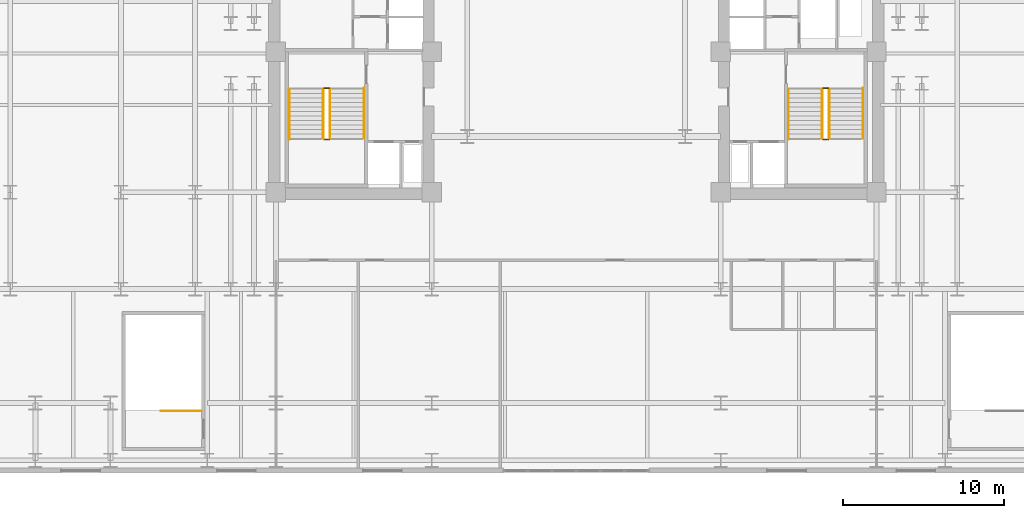
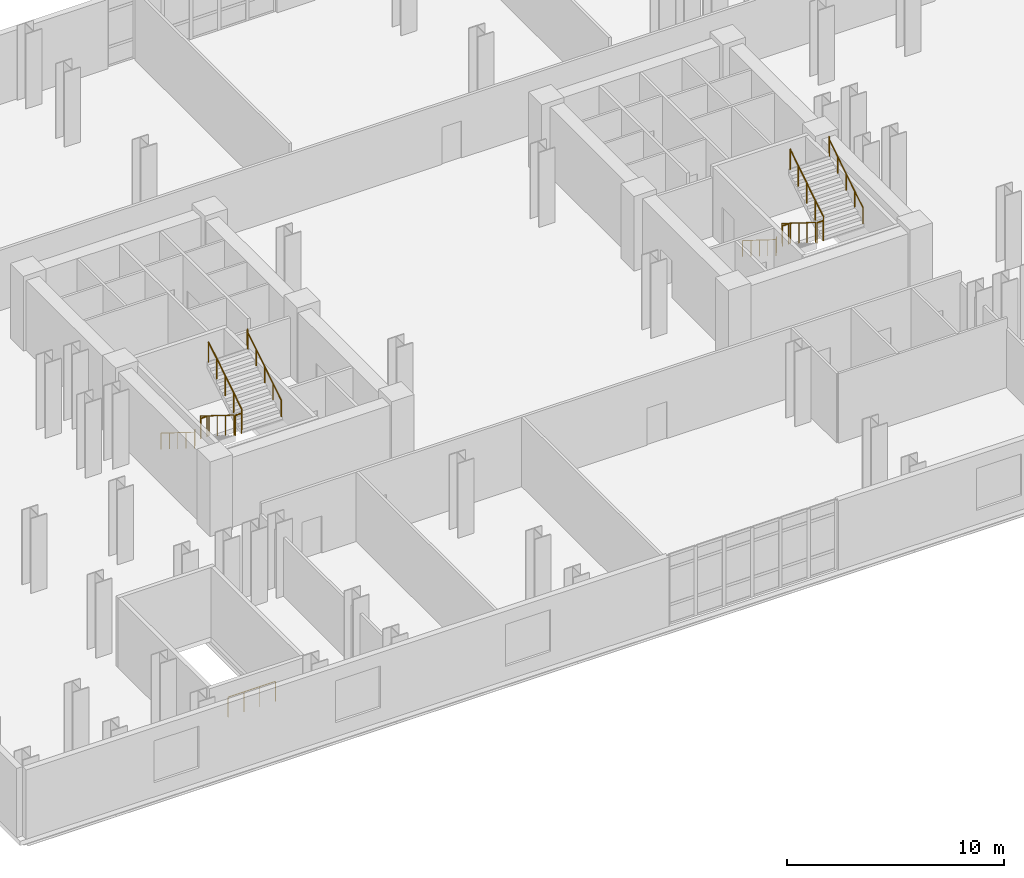
# One storey, part 12 of 13: 13 railings.
"""IFC4 building model written with IfcOpenShell, lengths in metres."""

import ifcopenshell
import ifcopenshell.guid

model = None  # the IFC model being written
_history = None  # IfcOwnerHistory: only IFC2X3 demands one
_inside = {}  # id of a spatial element -> (the spatial element, [elements in it])
_under = {}  # id of a project, library or spatial element -> (it, [spatial elements below it])
_declared = {}  # id of a project -> (the project, [libraries it declares])
_typed = {}  # id of a type object -> (the type object, [elements of that type])
_made_of = {}  # id of a material, layer set ... -> (it, [elements and type objects made of it])


def new_model(schema):
    """Start an empty IFC model of exactly this schema.

    Asked for "IFC4X3", IfcOpenShell would pick the latest addendum, in which some entities
    have other attributes; the version numbers below select the first issue.
    IFC2X3 requires an IfcOwnerHistory on every rooted entity: one is made here for all.
    """
    global model, _history
    if schema == "IFC4X3":
        model = ifcopenshell.file(schema_version=(4, 3, 0, 0))
    else:
        model = ifcopenshell.file(schema=schema)
    _inside.clear()
    _under.clear()
    _declared.clear()
    _typed.clear()
    _made_of.clear()
    _history = None
    if model.schema == "IFC2X3":
        org = make("IfcOrganization", Name="unknown")
        user = make(
            "IfcPersonAndOrganization",
            ThePerson=make("IfcPerson", FamilyName="unknown"),
            TheOrganization=org,
        )
        app = make(
            "IfcApplication",
            ApplicationDeveloper=org,
            Version="unknown",
            ApplicationFullName="unknown",
            ApplicationIdentifier="unknown",
        )
        _history = make(
            "IfcOwnerHistory",
            OwningUser=user,
            OwningApplication=app,
            ChangeAction="ADDED",
            CreationDate=0,
        )
    return model


def make(cls, **values):
    """One entity of the class cls with the attributes given. An attribute that is None is left unset."""
    return model.create_entity(
        cls, **{name: value for name, value in values.items() if value is not None}
    )


def rooted(cls, **values):
    """An entity with a GlobalId (a new one), such as an element, a storey or a relation."""
    return make(cls, GlobalId=ifcopenshell.guid.new(), OwnerHistory=_history, **values)


def si_unit(unit_type, name, prefix=None):
    """IfcSIUnit, for example si_unit("LENGTHUNIT", "METRE", prefix="MILLI")."""
    return make("IfcSIUnit", UnitType=unit_type, Prefix=prefix, Name=name)


def assignment(units):
    """IfcUnitAssignment: the units of a project."""
    return None if units is None else make("IfcUnitAssignment", Units=units)


def point(xyz):
    """IfcCartesianPoint."""
    return None if xyz is None else make("IfcCartesianPoint", Coordinates=xyz)


def direction(xyz):
    """IfcDirection."""
    return None if xyz is None else make("IfcDirection", DirectionRatios=xyz)


def frame(location, z_axis=None, x_axis=None):
    """IfcAxis2Placement3D, a coordinate frame: its origin and axes. An axis left out is left unset."""
    return make(
        "IfcAxis2Placement3D",
        Location=point(location),
        Axis=direction(z_axis),
        RefDirection=direction(x_axis),
    )


def frame_2d(location, x_axis=None):
    """IfcAxis2Placement2D, a coordinate frame in the plane: its origin and x axis."""
    return make(
        "IfcAxis2Placement2D", Location=point(location), RefDirection=direction(x_axis)
    )


def origin():
    """The frame at (0, 0, 0) with its axes left unset."""
    return frame((0.0, 0.0, 0.0))


def origin_2d():
    """The frame at (0, 0) in the plane with its x axis left unset."""
    return frame_2d((0.0, 0.0))


def place(relative_to, where):
    """IfcLocalPlacement: puts the frame where relative to a parent placement (None: the world)."""
    return make(
        "IfcLocalPlacement", PlacementRelTo=relative_to, RelativePlacement=where
    )


def context(
    kind, dimensions, precision=None, world=None, true_north=None, identifier=None
):
    """IfcGeometricRepresentationContext, for example the 3D "Model" context."""
    return make(
        "IfcGeometricRepresentationContext",
        ContextIdentifier=identifier,
        ContextType=kind,
        CoordinateSpaceDimension=dimensions,
        Precision=precision,
        WorldCoordinateSystem=world,
        TrueNorth=true_north,
    )


def subcontext(parent, identifier, kind, view, scale=None):
    """IfcGeometricRepresentationSubContext, for example "Body" below "Model"."""
    return make(
        "IfcGeometricRepresentationSubContext",
        ContextIdentifier=identifier,
        ContextType=kind,
        ParentContext=parent,
        TargetScale=scale,
        TargetView=view,
    )


def project(units=None, contexts=None):
    """IfcProject with its units and contexts."""
    return rooted(
        "IfcProject",
        Name="project",
        RepresentationContexts=contexts,
        UnitsInContext=assignment(units),
    )


def spatial(cls, under=None, at=None, **own):
    """A site, building, storey or space (cls), placed at a placement, below another one or the project."""
    s = rooted(cls, ObjectPlacement=at, **own)
    if under is not None:
        _under.setdefault(under.id(), (under, []))[1].append(s)
    return s


def profile(cls, at=None, kind="AREA", **sizes):
    """A parametric profile (cls). Its sizes go by their IFC names, for example OverallWidth=200.0."""
    return make(cls, ProfileType=kind, Position=at, **sizes)


def circle(**sizes):
    """IfcCircleProfileDef."""
    return profile("IfcCircleProfileDef", **sizes)


def extrude(swept, where, along, depth):
    """IfcExtrudedAreaSolid: the profile swept, set in the frame where, extruded along a direction by depth."""
    return make(
        "IfcExtrudedAreaSolid",
        SweptArea=swept,
        Position=where,
        ExtrudedDirection=direction(along),
        Depth=depth,
    )


def shape(context_of_items, identifier, shape_type, items):
    """IfcShapeRepresentation: the items that make up one representation, for example the "Body"."""
    return make(
        "IfcShapeRepresentation",
        ContextOfItems=context_of_items,
        RepresentationIdentifier=identifier,
        RepresentationType=shape_type,
        Items=items,
    )


def material(Name=None, Category=None):
    """IfcMaterial."""
    return make("IfcMaterial", Name=Name, Category=Category)


def made_of(thing, what):
    """Note that an element or type object is made of a material, layer set ...; save() writes the relation."""
    if what is not None:
        _made_of.setdefault(what.id(), (what, []))[1].append(thing)
    return thing


def type_object(cls, material=None, **own):
    """A type object (cls), such as IfcWallType, which elements share."""
    return made_of(rooted(cls, **own), material)


def element(
    cls,
    number,
    at=None,
    inside=None,
    cuts=None,
    type_object=None,
    material=None,
    context=None,
    identifier="Body",
    shape_type=None,
    held_by="IfcProductDefinitionShape",
    body=None,
    shapes=None,
    **own,
):
    """One element of the class cls, such as IfcWall. Its Tag is "e" and its number.

    at: its placement. inside: the storey or other place that contains it. cuts: it is an
    opening in that element (IfcRelVoidsElement). A single representation is given by context,
    identifier, shape_type and body (its items); several are given by shapes. held_by: the class
    of the entity that holds the representations. save() writes the other relations.
    """
    e = rooted(cls, Tag="e%d" % number, ObjectPlacement=at, **own)
    if body is not None:
        shapes = [shape(context, identifier, shape_type, body)]
    if shapes is not None:
        e.Representation = make(held_by, Representations=shapes)
    if inside is not None:
        _inside.setdefault(inside.id(), (inside, []))[1].append(e)
    if cuts is not None:
        rooted(
            "IfcRelVoidsElement", RelatingBuildingElement=cuts, RelatedOpeningElement=e
        )
    if type_object is not None:
        _typed.setdefault(type_object.id(), (type_object, []))[1].append(e)
    return made_of(e, material)


def aggregate(whole, parts):
    """IfcRelAggregates: a whole, such as a stair, and the parts it consists of."""
    return rooted("IfcRelAggregates", RelatingObject=whole, RelatedObjects=parts)


def save(model, path):
    """Write the relations noted so far, then the file.

    IfcRelAggregates (storeys below a building ...), IfcRelContainedInSpatialStructure (elements
    in a storey), IfcRelDefinesByType, IfcRelAssociatesMaterial and IfcRelDeclares: one each for
    every whole, place, type object, material and project.
    """
    for whole, parts in _under.values():
        aggregate(whole, parts)
    for where, things in _inside.values():
        rooted(
            "IfcRelContainedInSpatialStructure",
            RelatedElements=things,
            RelatingStructure=where,
        )
    for kind, things in _typed.values():
        rooted("IfcRelDefinesByType", RelatedObjects=things, RelatingType=kind)
    for what, things in _made_of.values():
        rooted("IfcRelAssociatesMaterial", RelatedObjects=things, RelatingMaterial=what)
    for by, libraries in _declared.values():
        rooted("IfcRelDeclares", RelatingContext=by, RelatedDefinitions=libraries)
    model.write(path)


model = new_model("IFC4")

# Units and contexts
model_context = context("Model", 3, precision=1e-05, world=origin(), true_north=direction((0.0, 1.0)))
body_context = subcontext(model_context, "Body", "Model", "MODEL_VIEW")
ifc_project = project(units=[si_unit("LENGTHUNIT", "METRE"), si_unit("AREAUNIT", "SQUARE_METRE"), si_unit("VOLUMEUNIT", "CUBIC_METRE"), si_unit("PLANEANGLEUNIT", "RADIAN"), si_unit("MASSUNIT", "GRAM", prefix="KILO")], contexts=[model_context])

# Site, building, storey
site_placement = place(None, origin())
site = spatial("IfcSite", under=ifc_project, at=site_placement, CompositionType="ELEMENT")
building_placement = place(site_placement, origin())
building = spatial("IfcBuilding", under=site, at=building_placement, Name="Velakula Bourse", CompositionType="ELEMENT")
storey_placement = place(building_placement, frame((0.0, 0.0, 22.800048828125)))
storey = spatial("IfcBuildingStorey", under=building, at=storey_placement, Name="L05", CompositionType="ELEMENT", Elevation=22.800048828125)

# Railings
ifc_material = material(Name="Brushed grade 316 stainless steel", Category="steel")
railing_type_1 = type_object("IfcRailingType", Name="RLG-STAIR-GUARD-1150", PredefinedType="BALUSTRADE", material=ifc_material)
railing_1_placement = place(storey_placement, frame((-15.672119140625, -2.199951171875, 0.175048828125)))
element("IfcRailing", 1, at=railing_1_placement, inside=storey, type_object=railing_type_1, Name="L05 ST-W1 stair guard 1", PredefinedType="BALUSTRADE", context=body_context, shape_type="SweptSolid", body=[
    extrude(circle(Radius=0.02490234375, at=origin_2d()), frame((0.0, 0.0, 1.125), z_axis=(0.0, -0.848028513186, 0.529950602248), x_axis=(1.0, 0.0, 0.0)), (0.0, 0.0, 1.0), 3.632080078125),
    extrude(circle(Radius=0.02099609375, at=origin_2d()), origin(), (0.0, 0.0, 1.0), 1.099853515625),
    extrude(circle(Radius=0.02099609375, at=origin_2d()), frame((0.0, -0.77001953125, 0.481201171875)), (0.0, 0.0, 1.0), 1.099853515625),
    extrude(circle(Radius=0.02099609375, at=origin_2d()), frame((0.0, -1.5400390625, 0.96240234375)), (0.0, 0.0, 1.0), 1.099853515625),
    extrude(circle(Radius=0.02099609375, at=origin_2d()), frame((0.0, -2.31005859375, 1.443603515625)), (0.0, 0.0, 1.0), 1.099853515625),
    extrude(circle(Radius=0.02099609375, at=origin_2d()), frame((0.0, -3.080078125, 1.9248046875)), (0.0, 0.0, 1.0), 1.099853515625),
])
railing_2_placement = place(storey_placement, frame((-15.6220703125, -5.330078125, 2.099853515625)))
element("IfcRailing", 2, at=railing_2_placement, inside=storey, type_object=railing_type_1, Name="L05 ST-W1 stair guard 2", PredefinedType="BALUSTRADE", context=body_context, shape_type="SweptSolid", body=[
    extrude(circle(Radius=0.02490234375, at=origin_2d()), frame((0.0, 0.0, 1.125), z_axis=(1.0, 0.0, 0.0), x_axis=(0.0, 1.0, 0.0)), (0.0, 0.0, 1.0), 0.323974609375),
    extrude(circle(Radius=0.02099609375, at=origin_2d()), origin(), (0.0, 0.0, 1.0), 1.099853515625),
    extrude(circle(Radius=0.02099609375, at=origin_2d()), frame((0.323974609375, 0.0, 0.0)), (0.0, 0.0, 1.0), 1.099853515625),
])
railing_3_placement = place(storey_placement, frame((-15.248046875, -5.280029296875, 2.27490234375)))
element("IfcRailing", 3, at=railing_3_placement, inside=storey, type_object=railing_type_1, Name="L05 ST-W1 stair guard 3", PredefinedType="BALUSTRADE", context=body_context, shape_type="SweptSolid", body=[
    extrude(circle(Radius=0.02490234375, at=origin_2d()), frame((0.0, 0.0, 1.125), z_axis=(0.0, 0.847998304005, 0.529998940003), x_axis=(-1.0, 0.0, 0.0)), (0.0, 0.0, 1.0), 3.632080078125),
    extrude(circle(Radius=0.02099609375, at=origin_2d()), origin(), (0.0, 0.0, 1.0), 1.099853515625),
    extrude(circle(Radius=0.02099609375, at=origin_2d()), frame((0.0, 0.77001953125, 0.481201171875)), (0.0, 0.0, 1.0), 1.099853515625),
    extrude(circle(Radius=0.02099609375, at=origin_2d()), frame((0.0, 1.5400390625, 0.96240234375)), (0.0, 0.0, 1.0), 1.099853515625),
    extrude(circle(Radius=0.02099609375, at=origin_2d()), frame((0.0, 2.31005859375, 1.44384765625)), (0.0, 0.0, 1.0), 1.099853515625),
    extrude(circle(Radius=0.02099609375, at=origin_2d()), frame((0.0, 3.080078125, 1.925048828125)), (0.0, 0.0, 1.0), 1.099853515625),
])
railing_4_placement = place(storey_placement, frame((-15.6220703125, -2.14990234375, 0.0)))
element("IfcRailing", 4, at=railing_4_placement, inside=storey, type_object=railing_type_1, Name="L05 ST-W1 stair guard 4", PredefinedType="BALUSTRADE", context=body_context, shape_type="SweptSolid", body=[
    extrude(circle(Radius=0.02490234375, at=origin_2d()), frame((0.0, 0.0, 1.125), z_axis=(1.0, 0.0, 0.0), x_axis=(0.0, 1.0, 0.0)), (0.0, 0.0, 1.0), 0.323974609375),
    extrude(circle(Radius=0.02099609375, at=origin_2d()), origin(), (0.0, 0.0, 1.0), 1.099853515625),
    extrude(circle(Radius=0.02099609375, at=origin_2d()), frame((0.323974609375, 0.0, 0.0)), (0.0, 0.0, 1.0), 1.099853515625),
])
railing_5_placement = place(storey_placement, frame((15.248046875, -2.199951171875, 0.175048828125)))
element("IfcRailing", 5, at=railing_5_placement, inside=storey, type_object=railing_type_1, Name="L05 ST-E1 stair guard 1", PredefinedType="BALUSTRADE", context=body_context, shape_type="SweptSolid", body=[
    extrude(circle(Radius=0.02490234375, at=origin_2d()), frame((0.0, 0.0, 1.125), z_axis=(0.0, -0.848028513186, 0.529950602248), x_axis=(1.0, 0.0, 0.0)), (0.0, 0.0, 1.0), 3.632080078125),
    extrude(circle(Radius=0.02099609375, at=origin_2d()), origin(), (0.0, 0.0, 1.0), 1.099853515625),
    extrude(circle(Radius=0.02099609375, at=origin_2d()), frame((0.0, -0.77001953125, 0.481201171875)), (0.0, 0.0, 1.0), 1.099853515625),
    extrude(circle(Radius=0.02099609375, at=origin_2d()), frame((0.0, -1.5400390625, 0.96240234375)), (0.0, 0.0, 1.0), 1.099853515625),
    extrude(circle(Radius=0.02099609375, at=origin_2d()), frame((0.0, -2.31005859375, 1.443603515625)), (0.0, 0.0, 1.0), 1.099853515625),
    extrude(circle(Radius=0.02099609375, at=origin_2d()), frame((0.0, -3.080078125, 1.9248046875)), (0.0, 0.0, 1.0), 1.099853515625),
])
railing_6_placement = place(storey_placement, frame((15.298095703125, -5.330078125, 2.099853515625)))
element("IfcRailing", 6, at=railing_6_placement, inside=storey, type_object=railing_type_1, Name="L05 ST-E1 stair guard 2", PredefinedType="BALUSTRADE", context=body_context, shape_type="SweptSolid", body=[
    extrude(circle(Radius=0.02490234375, at=origin_2d()), frame((0.0, 0.0, 1.125), z_axis=(1.0, 0.0, 0.0), x_axis=(0.0, 1.0, 0.0)), (0.0, 0.0, 1.0), 0.323974609375),
    extrude(circle(Radius=0.02099609375, at=origin_2d()), origin(), (0.0, 0.0, 1.0), 1.099853515625),
    extrude(circle(Radius=0.02099609375, at=origin_2d()), frame((0.323974609375, 0.0, 0.0)), (0.0, 0.0, 1.0), 1.099853515625),
])
railing_7_placement = place(storey_placement, frame((15.672119140625, -5.280029296875, 2.27490234375)))
element("IfcRailing", 7, at=railing_7_placement, inside=storey, type_object=railing_type_1, Name="L05 ST-E1 stair guard 3", PredefinedType="BALUSTRADE", context=body_context, shape_type="SweptSolid", body=[
    extrude(circle(Radius=0.02490234375, at=origin_2d()), frame((0.0, 0.0, 1.125), z_axis=(0.0, 0.847998304005, 0.529998940003), x_axis=(-1.0, 0.0, 0.0)), (0.0, 0.0, 1.0), 3.632080078125),
    extrude(circle(Radius=0.02099609375, at=origin_2d()), origin(), (0.0, 0.0, 1.0), 1.099853515625),
    extrude(circle(Radius=0.02099609375, at=origin_2d()), frame((0.0, 0.77001953125, 0.481201171875)), (0.0, 0.0, 1.0), 1.099853515625),
    extrude(circle(Radius=0.02099609375, at=origin_2d()), frame((0.0, 1.5400390625, 0.96240234375)), (0.0, 0.0, 1.0), 1.099853515625),
    extrude(circle(Radius=0.02099609375, at=origin_2d()), frame((0.0, 2.31005859375, 1.44384765625)), (0.0, 0.0, 1.0), 1.099853515625),
    extrude(circle(Radius=0.02099609375, at=origin_2d()), frame((0.0, 3.080078125, 1.925048828125)), (0.0, 0.0, 1.0), 1.099853515625),
])
railing_8_placement = place(storey_placement, frame((15.298095703125, -2.14990234375, 0.0)))
element("IfcRailing", 8, at=railing_8_placement, inside=storey, type_object=railing_type_1, Name="L05 ST-E1 stair guard 4", PredefinedType="BALUSTRADE", context=body_context, shape_type="SweptSolid", body=[
    extrude(circle(Radius=0.02490234375, at=origin_2d()), frame((0.0, 0.0, 1.125), z_axis=(1.0, 0.0, 0.0), x_axis=(0.0, 1.0, 0.0)), (0.0, 0.0, 1.0), 0.323974609375),
    extrude(circle(Radius=0.02099609375, at=origin_2d()), origin(), (0.0, 0.0, 1.0), 1.099853515625),
    extrude(circle(Radius=0.02099609375, at=origin_2d()), frame((0.323974609375, 0.0, 0.0)), (0.0, 0.0, 1.0), 1.099853515625),
])
railing_9_placement = place(storey_placement, frame((-23.199951171875, -22.14990234375, 0.0)))
element("IfcRailing", 9, at=railing_9_placement, inside=storey, type_object=railing_type_1, Name="L05 ST-P1 top well guard 1", PredefinedType="BALUSTRADE", context=body_context, shape_type="SweptSolid", body=[
    extrude(circle(Radius=0.02490234375, at=origin_2d()), frame((0.0, 0.0, 1.125), z_axis=(-1.0, 0.0, 0.0), x_axis=(0.0, -1.0, 0.0)), (0.0, 0.0, 1.0), 2.52197265625),
    extrude(circle(Radius=0.02099609375, at=origin_2d()), origin(), (0.0, 0.0, 1.0), 1.099853515625),
    extrude(circle(Radius=0.02099609375, at=origin_2d()), frame((-0.840576171875, 0.0, 0.0)), (0.0, 0.0, 1.0), 1.099853515625),
    extrude(circle(Radius=0.02099609375, at=origin_2d()), frame((-1.681396484375, 0.0, 0.0)), (0.0, 0.0, 1.0), 1.099853515625),
    extrude(circle(Radius=0.02099609375, at=origin_2d()), frame((-2.52197265625, 0.0, 0.0)), (0.0, 0.0, 1.0), 1.099853515625),
])
railing_type_2 = type_object("IfcRailingType", Name="RLG-STAIR-HAND-920", PredefinedType="HANDRAIL", material=ifc_material)
railing_10_placement = place(storey_placement, frame((-17.77001953125, -2.199951171875, 0.175048828125)))
element("IfcRailing", 10, at=railing_10_placement, inside=storey, type_object=railing_type_2, Name="L05 ST-W1 stair handrail 1", PredefinedType="HANDRAIL", context=body_context, shape_type="SweptSolid", body=[
    extrude(circle(Radius=0.02099609375, at=origin_2d()), frame((0.0, 0.0, 0.89892578125), z_axis=(0.0, -0.848028513186, 0.529950602248), x_axis=(1.0, 0.0, 0.0)), (0.0, 0.0, 1.0), 3.632080078125),
    extrude(circle(Radius=0.02099609375, at=origin_2d()), frame((0.0, -3.080078125, 2.82373046875), z_axis=(0.0, -0.222972465624, 0.974824743004), x_axis=(1.0, 0.0, 0.0)), (0.0, 0.0, 1.0), 0.1796875),
    extrude(circle(Radius=0.02099609375, at=origin_2d()), frame((0.0, -3.1201171875, 2.998779296875), z_axis=(0.0, -1.0, 0.0), x_axis=(1.0, 0.0, 0.0)), (0.0, 0.0, 1.0), 0.0048828125),
    extrude(circle(Radius=0.02099609375, at=origin_2d()), origin(), (0.0, 0.0, 1.0), 0.8779296875),
    extrude(circle(Radius=0.02099609375, at=origin_2d()), frame((0.0, -0.77001953125, 0.481201171875)), (0.0, 0.0, 1.0), 0.8779296875),
    extrude(circle(Radius=0.02099609375, at=origin_2d()), frame((0.0, -1.5400390625, 0.96240234375)), (0.0, 0.0, 1.0), 0.8779296875),
    extrude(circle(Radius=0.02099609375, at=origin_2d()), frame((0.0, -2.31005859375, 1.443603515625)), (0.0, 0.0, 1.0), 0.8779296875),
    extrude(circle(Radius=0.02099609375, at=origin_2d()), frame((0.0, -3.080078125, 1.9248046875)), (0.0, 0.0, 1.0), 0.8779296875),
    extrude(circle(Radius=0.02099609375, at=origin_2d()), frame((0.0, -3.1201171875, 2.099853515625)), (0.0, 0.0, 1.0), 0.8779296875),
    extrude(circle(Radius=0.02099609375, at=origin_2d()), frame((0.0, -3.125, 2.099853515625)), (0.0, 0.0, 1.0), 0.8779296875),
])
railing_11_placement = place(storey_placement, frame((-13.14990234375, -5.280029296875, 2.27490234375)))
element("IfcRailing", 11, at=railing_11_placement, inside=storey, type_object=railing_type_2, Name="L05 ST-W1 stair handrail 2", PredefinedType="HANDRAIL", context=body_context, shape_type="SweptSolid", body=[
    extrude(circle(Radius=0.02099609375, at=origin_2d()), frame((0.0, 0.0, 0.89892578125), z_axis=(0.0, 0.847998304005, 0.529998940003), x_axis=(-1.0, 0.0, 0.0)), (0.0, 0.0, 1.0), 3.632080078125),
    extrude(circle(Radius=0.02099609375, at=origin_2d()), frame((0.0, 3.080078125, 2.823974609375), z_axis=(0.0, 0.222972465624, 0.974824743004), x_axis=(-1.0, 0.0, 0.0)), (0.0, 0.0, 1.0), 0.1796875),
    extrude(circle(Radius=0.02099609375, at=origin_2d()), frame((0.0, 3.1201171875, 2.9990234375), z_axis=(0.0, 1.0, 0.0), x_axis=(-1.0, 0.0, 0.0)), (0.0, 0.0, 1.0), 0.0048828125),
    extrude(circle(Radius=0.02099609375, at=origin_2d()), origin(), (0.0, 0.0, 1.0), 0.8779296875),
    extrude(circle(Radius=0.02099609375, at=origin_2d()), frame((0.0, 0.77001953125, 0.481201171875)), (0.0, 0.0, 1.0), 0.8779296875),
    extrude(circle(Radius=0.02099609375, at=origin_2d()), frame((0.0, 1.5400390625, 0.96240234375)), (0.0, 0.0, 1.0), 0.8779296875),
    extrude(circle(Radius=0.02099609375, at=origin_2d()), frame((0.0, 2.31005859375, 1.44384765625)), (0.0, 0.0, 1.0), 0.8779296875),
    extrude(circle(Radius=0.02099609375, at=origin_2d()), frame((0.0, 3.080078125, 1.925048828125)), (0.0, 0.0, 1.0), 0.8779296875),
    extrude(circle(Radius=0.02099609375, at=origin_2d()), frame((0.0, 3.1201171875, 2.10009765625)), (0.0, 0.0, 1.0), 0.8779296875),
    extrude(circle(Radius=0.02099609375, at=origin_2d()), frame((0.0, 3.125, 2.10009765625)), (0.0, 0.0, 1.0), 0.8779296875),
])
railing_12_placement = place(storey_placement, frame((13.14990234375, -2.199951171875, 0.175048828125)))
element("IfcRailing", 12, at=railing_12_placement, inside=storey, type_object=railing_type_2, Name="L05 ST-E1 stair handrail 1", PredefinedType="HANDRAIL", context=body_context, shape_type="SweptSolid", body=[
    extrude(circle(Radius=0.02099609375, at=origin_2d()), frame((0.0, 0.0, 0.89892578125), z_axis=(0.0, -0.848028513186, 0.529950602248), x_axis=(1.0, 0.0, 0.0)), (0.0, 0.0, 1.0), 3.632080078125),
    extrude(circle(Radius=0.02099609375, at=origin_2d()), frame((0.0, -3.080078125, 2.82373046875), z_axis=(0.0, -0.222972465624, 0.974824743004), x_axis=(1.0, 0.0, 0.0)), (0.0, 0.0, 1.0), 0.1796875),
    extrude(circle(Radius=0.02099609375, at=origin_2d()), frame((0.0, -3.1201171875, 2.998779296875), z_axis=(0.0, -1.0, 0.0), x_axis=(1.0, 0.0, 0.0)), (0.0, 0.0, 1.0), 0.0048828125),
    extrude(circle(Radius=0.02099609375, at=origin_2d()), origin(), (0.0, 0.0, 1.0), 0.8779296875),
    extrude(circle(Radius=0.02099609375, at=origin_2d()), frame((0.0, -0.77001953125, 0.481201171875)), (0.0, 0.0, 1.0), 0.8779296875),
    extrude(circle(Radius=0.02099609375, at=origin_2d()), frame((0.0, -1.5400390625, 0.96240234375)), (0.0, 0.0, 1.0), 0.8779296875),
    extrude(circle(Radius=0.02099609375, at=origin_2d()), frame((0.0, -2.31005859375, 1.443603515625)), (0.0, 0.0, 1.0), 0.8779296875),
    extrude(circle(Radius=0.02099609375, at=origin_2d()), frame((0.0, -3.080078125, 1.9248046875)), (0.0, 0.0, 1.0), 0.8779296875),
    extrude(circle(Radius=0.02099609375, at=origin_2d()), frame((0.0, -3.1201171875, 2.099853515625)), (0.0, 0.0, 1.0), 0.8779296875),
    extrude(circle(Radius=0.02099609375, at=origin_2d()), frame((0.0, -3.125, 2.099853515625)), (0.0, 0.0, 1.0), 0.8779296875),
])
railing_13_placement = place(storey_placement, frame((17.77001953125, -5.280029296875, 2.27490234375)))
element("IfcRailing", 13, at=railing_13_placement, inside=storey, type_object=railing_type_2, Name="L05 ST-E1 stair handrail 2", PredefinedType="HANDRAIL", context=body_context, shape_type="SweptSolid", body=[
    extrude(circle(Radius=0.02099609375, at=origin_2d()), frame((0.0, 0.0, 0.89892578125), z_axis=(0.0, 0.847998304005, 0.529998940003), x_axis=(-1.0, 0.0, 0.0)), (0.0, 0.0, 1.0), 3.632080078125),
    extrude(circle(Radius=0.02099609375, at=origin_2d()), frame((0.0, 3.080078125, 2.823974609375), z_axis=(0.0, 0.222972465624, 0.974824743004), x_axis=(-1.0, 0.0, 0.0)), (0.0, 0.0, 1.0), 0.1796875),
    extrude(circle(Radius=0.02099609375, at=origin_2d()), frame((0.0, 3.1201171875, 2.9990234375), z_axis=(0.0, 1.0, 0.0), x_axis=(-1.0, 0.0, 0.0)), (0.0, 0.0, 1.0), 0.0048828125),
    extrude(circle(Radius=0.02099609375, at=origin_2d()), origin(), (0.0, 0.0, 1.0), 0.8779296875),
    extrude(circle(Radius=0.02099609375, at=origin_2d()), frame((0.0, 0.77001953125, 0.481201171875)), (0.0, 0.0, 1.0), 0.8779296875),
    extrude(circle(Radius=0.02099609375, at=origin_2d()), frame((0.0, 1.5400390625, 0.96240234375)), (0.0, 0.0, 1.0), 0.8779296875),
    extrude(circle(Radius=0.02099609375, at=origin_2d()), frame((0.0, 2.31005859375, 1.44384765625)), (0.0, 0.0, 1.0), 0.8779296875),
    extrude(circle(Radius=0.02099609375, at=origin_2d()), frame((0.0, 3.080078125, 1.925048828125)), (0.0, 0.0, 1.0), 0.8779296875),
    extrude(circle(Radius=0.02099609375, at=origin_2d()), frame((0.0, 3.1201171875, 2.10009765625)), (0.0, 0.0, 1.0), 0.8779296875),
    extrude(circle(Radius=0.02099609375, at=origin_2d()), frame((0.0, 3.125, 2.10009765625)), (0.0, 0.0, 1.0), 0.8779296875),
])

save(model, "model.ifc")
